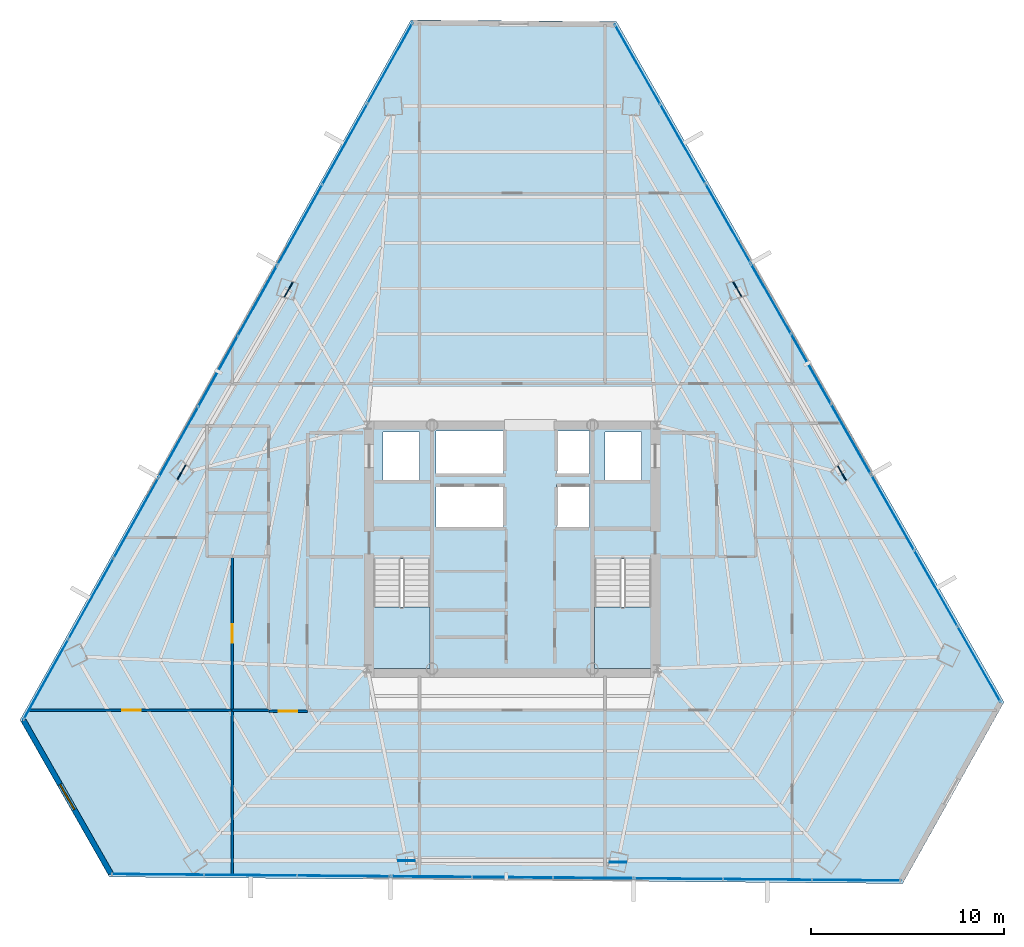
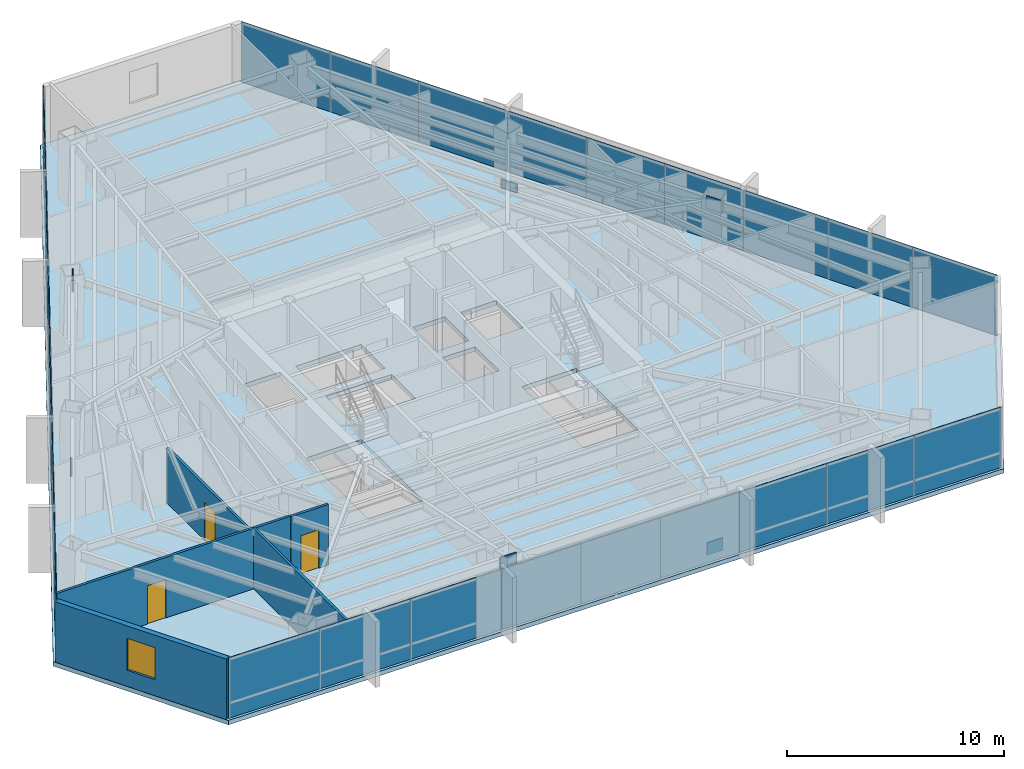
# One storey, part 32 of 38: 33 plates, 6 walls, 3 doors, 3 slabs, 1 window, 4 openings, 11 elements without a shape of their own.
"""IFC4 building model written with IfcOpenShell, lengths in metres."""

from ifc_helpers import new_model, si_unit, direction, frame, frame_2d, origin, origin_2d, place, context, subcontext, project, spatial, polyline, rectangle, outline, extrude, source, transform, mapped, material, layer, layer_set, type_object, type_shapes, element, fill, aggregate, save


model = new_model("IFC4")

# Units and contexts
model_context = context("Model", 3, precision=1e-05, world=origin(), true_north=direction((0.0, 1.0)))
body_context = subcontext(model_context, "Body", "Model", "MODEL_VIEW")
ifc_project = project(units=[si_unit("LENGTHUNIT", "METRE"), si_unit("AREAUNIT", "SQUARE_METRE"), si_unit("VOLUMEUNIT", "CUBIC_METRE"), si_unit("PLANEANGLEUNIT", "RADIAN"), si_unit("MASSUNIT", "GRAM", prefix="KILO")], contexts=[model_context])

# Site, building, storey
site_placement = place(None, origin())
site = spatial("IfcSite", under=ifc_project, at=site_placement, CompositionType="ELEMENT")
building_placement = place(site_placement, origin())
building = spatial("IfcBuilding", under=site, at=building_placement, Name="Caelisora Broadcast Tower", CompositionType="ELEMENT")
storey_placement = place(building_placement, frame((0.0, 0.0, 158.5)))
storey = spatial("IfcBuildingStorey", under=building, at=storey_placement, Name="L41", CompositionType="ELEMENT", Elevation=158.5)

# Slab
ifc_material_1 = material(Name="Concrete 40 MPa (AS 3600 N40)", Category="concrete")
ifc_layer_1 = layer(ifc_material_1, 0.25, Name="Concrete 40 MPa (AS 3600 N40)")
ifc_layer_set_1 = layer_set([ifc_layer_1], Name="Concrete 40 MPa (AS 3600 N40)")
slab_type_1 = type_object("IfcSlabType", Name="SL04", PredefinedType="FLOOR", material=ifc_layer_set_1)
slab_1_placement = place(storey_placement, frame((0.0, 0.0, -0.25)))
element("IfcSlab", 1, at=slab_1_placement, inside=storey, type_object=slab_type_1, Name="L41 suspended floor SL04", PredefinedType="FLOOR", context=body_context, shape_type="SweptSolid", body=[
    extrude(outline(polyline([(43.39794921875, 50.882080078125), (32.7548828125, 50.969970703125), (12.52490234375, 14.74609375), (17.152099609375, 6.62109375), (58.2041015625, 6.279052734375), (63.448974609375, 15.669921875), (43.39794921875, 50.882080078125)]), holes=[polyline([(30.820068359375, 17.39990234375), (33.739990234375, 17.39990234375), (33.739990234375, 23.080078125), (30.820068359375, 23.080078125), (30.820068359375, 17.39990234375)]), polyline([(42.260009765625, 17.39990234375), (45.179931640625, 17.39990234375), (45.179931640625, 23.080078125), (42.260009765625, 23.080078125), (42.260009765625, 17.39990234375)]), polyline([(42.800048828125, 27.14990234375), (44.699951171875, 27.14990234375), (44.699951171875, 29.64990234375), (42.800048828125, 29.64990234375), (42.800048828125, 27.14990234375)]), polyline([(40.300048828125, 24.719970703125), (42.0, 24.719970703125), (42.0, 26.919921875), (40.300048828125, 26.919921875), (40.300048828125, 24.719970703125)]), polyline([(40.300048828125, 27.5), (42.0, 27.5), (42.0, 29.699951171875), (40.300048828125, 29.699951171875), (40.300048828125, 27.5)]), polyline([(34.050048828125, 24.719970703125), (37.550048828125, 24.719970703125), (37.550048828125, 26.919921875), (34.050048828125, 26.919921875), (34.050048828125, 24.719970703125)]), polyline([(34.050048828125, 27.5), (37.550048828125, 27.5), (37.550048828125, 29.699951171875), (34.050048828125, 29.699951171875), (34.050048828125, 27.5)]), polyline([(31.300048828125, 27.14990234375), (33.199951171875, 27.14990234375), (33.199951171875, 29.64990234375), (31.300048828125, 29.64990234375), (31.300048828125, 27.14990234375)])]), origin(), (0.0, 0.0, 1.0), 0.25),
])

# Stair, slab
stair_type_1 = type_object("IfcStairType", Name="ST-1", PredefinedType="HALF_TURN_STAIR", material=ifc_material_1)
stair_1_placement = place(storey_placement, origin())
stair_1 = element("IfcStair", 2, at=stair_1_placement, inside=storey, type_object=stair_type_1, Name="L41 West Fire-Isolated Tower Stair", PredefinedType="HALF_TURN_STAIR")
ifc_layer_2 = layer(ifc_material_1, 0.199951171875, Name="Concrete 40 MPa (AS 3600 N40)")
ifc_layer_set_2 = layer_set([ifc_layer_2], Name="Concrete 40 MPa (AS 3600 N40)")
slab_type_2 = type_object("IfcSlabType", Name="STL-1", PredefinedType="LANDING", material=ifc_layer_set_2)
slab_2_placement = place(storey_placement, frame((0.0, 0.0, 1.625)))
slab_2 = element("IfcSlab", 3, at=slab_2_placement, type_object=slab_type_2, Name="ST-1 landing 1", PredefinedType="LANDING", context=body_context, shape_type="SweptSolid", body=[
    extrude(outline(polyline([(30.820068359375, 20.580078125), (30.820068359375, 17.39990234375), (33.739990234375, 17.39990234375), (33.739990234375, 20.580078125), (30.820068359375, 20.580078125)])), origin(), (0.0, 0.0, 1.0), 0.199951171875),
])
aggregate(stair_1, [slab_2])

stair_type_2 = type_object("IfcStairType", Name="ST-2", PredefinedType="HALF_TURN_STAIR", material=ifc_material_1)
stair_2_placement = place(storey_placement, origin())
stair_2 = element("IfcStair", 4, at=stair_2_placement, inside=storey, type_object=stair_type_2, Name="L41 East Fire-Isolated Tower Stair", PredefinedType="HALF_TURN_STAIR")
slab_3_placement = place(storey_placement, frame((0.0, 0.0, 1.625)))
slab_3 = element("IfcSlab", 5, at=slab_3_placement, type_object=slab_type_2, Name="ST-2 landing 1", PredefinedType="LANDING", context=body_context, shape_type="SweptSolid", body=[
    extrude(outline(polyline([(42.260009765625, 20.580078125), (42.260009765625, 17.39990234375), (45.179931640625, 17.39990234375), (45.179931640625, 20.580078125), (42.260009765625, 20.580078125)])), origin(), (0.0, 0.0, 1.0), 0.199951171875),
])
aggregate(stair_2, [slab_3])

# Plates
ifc_material_2 = material(Name="Steel Grade 350 L15 (AS/NZS 3678)", Category="steel")
ifc_layer_3 = layer(ifc_material_2, 0.050048828125, Name="Steel Grade 350 L15 (AS/NZS 3678)")
ifc_layer_set_3 = layer_set([ifc_layer_3], Name="Steel Grade 350 L15 (AS/NZS 3678)")
plate_type_1 = type_object("IfcPlateType", Name="GP03", PredefinedType="USERDEFINED", material=ifc_layer_set_3)
shared_shape_1 = source(origin(), body_context, "Body", "SweptSolid", [
    extrude(rectangle(XDim=0.85009765625, YDim=0.050048828125, at=origin_2d()), origin(), (0.0, 0.0, 1.0), 0.699951171875),
])
type_shapes(plate_type_1, [shared_shape_1])
for number, where, z_axis, x_axis, name in (
    (6, (26.421142578125, 37.0146484375, 2.72998046875), (0.0, 0.0, 1.0), (-0.5, -0.866025403784, 0.0), "L41 gusset plate GP03 (ND-L41-C02T)"),
    (7, (20.88525390625, 27.57080078125, -0.22998046875), (0.0, 0.0, 1.0), (-0.5, -0.866025403784, 0.0), "L41 gusset plate GP03 (ND-L41-C03B)"),
    (8, (32.5185546875, 7.465087890625, 2.72998046875), (0.0, 0.0, 1.0), (1.0, 0.0, 0.0), "L41 gusset plate GP03 (ND-L41-C06T)"),
    (9, (43.465087890625, 7.392822265625, -0.22998046875), (0.0, 0.0, 1.0), (1.0, 0.0, 0.0), "L41 gusset plate GP03 (ND-L41-C07B)"),
    (10, (55.060302734375, 27.520263671875, 2.72998046875), (0.0, 0.0, 1.0), (-0.5, 0.866025403784, 0.0), "L41 gusset plate GP03 (ND-L41-C10T)"),
    (11, (49.649658203125, 37.03662109375, -0.22998046875), (0.0, 0.0, 1.0), (-0.5, 0.866025403784, 0.0), "L41 gusset plate GP03 (ND-L41-C11B)"),
):
    element("IfcPlate", number, at=place(storey_placement, frame(where, z_axis=z_axis, x_axis=x_axis)), inside=storey, type_object=plate_type_1, Name=name, ObjectType="GUSSET PLATE", PredefinedType="USERDEFINED", context=body_context, shape_type="MappedRepresentation", body=[
        mapped(shared_shape_1, transform((0.0, 0.0, 0.0), scale=1.0)),
    ])

# Curtain wall, plates
ifc_material_3 = material(Name="Unitised Aluminium and Low-E Glass Curtain Wall", Category="glass")
curtain_wall_type_1 = type_object("IfcCurtainWallType", Name="CW-Z3", PredefinedType="NOTDEFINED", material=ifc_material_3)
curtain_wall_1_placement = place(storey_placement, origin())
curtain_wall_1 = element("IfcCurtainWall", 12, at=curtain_wall_1_placement, inside=storey, type_object=curtain_wall_type_1, Name="L41 curtain wall CW-Z3", PredefinedType="NOTDEFINED")
ifc_material_4 = material(Name="Double Glazed Low-E Argon IGU", Category="glass")
ifc_layer_4 = layer(ifc_material_4, 0.031982421875, Name="Double Glazed Low-E Argon IGU")
ifc_layer_set_4 = layer_set([ifc_layer_4], Name="Double Glazed Low-E Argon IGU")
plate_type_2 = type_object("IfcPlateType", Name="CWP-04", PredefinedType="CURTAIN_PANEL", material=ifc_layer_set_4)
shared_shape_2 = source(origin(), body_context, "Body", "SweptSolid", [
    extrude(rectangle(XDim=4.736328125, YDim=0.031982421875, at=origin_2d()), origin(), (0.0, 0.0, 1.0), 3.39990234375),
])
plate_1_placement = place(storey_placement, frame((44.48193359375, 48.675048828125, 0.0), z_axis=(0.0, 0.0, 1.0), x_axis=(0.494852128545, -0.868977198133, 0.0)))
plate_1 = element("IfcPlate", 13, at=plate_1_placement, type_object=plate_type_2, Name="L41-CW-B01 glazed panel #1", PredefinedType="CURTAIN_PANEL", context=body_context, shape_type="MappedRepresentation", body=[
    mapped(shared_shape_2, transform((0.0, 0.0, 0.0), scale=1.0)),
])
plate_2_placement = place(storey_placement, frame((46.82568359375, 44.55908203125, 0.0), z_axis=(0.0, 0.0, 1.0), x_axis=(0.494852128545, -0.868977198133, 0.0)))
plate_2 = element("IfcPlate", 14, at=plate_2_placement, type_object=plate_type_2, Name="L41-CW-B01 glazed panel #2", PredefinedType="CURTAIN_PANEL", context=body_context, shape_type="MappedRepresentation", body=[
    mapped(shared_shape_2, transform((0.0, 0.0, 0.0), scale=1.0)),
])
plate_3_placement = place(storey_placement, frame((49.16943359375, 40.443359375, 0.0), z_axis=(0.0, 0.0, 1.0), x_axis=(0.494852128545, -0.868977198133, 0.0)))
plate_3 = element("IfcPlate", 15, at=plate_3_placement, type_object=plate_type_2, Name="L41-CW-B01 glazed panel #3", PredefinedType="CURTAIN_PANEL", context=body_context, shape_type="MappedRepresentation", body=[
    mapped(shared_shape_2, transform((0.0, 0.0, 0.0), scale=1.0)),
])
aggregate(curtain_wall_1, [plate_1, plate_2, plate_3])

ifc_material_5 = material(Name="Unitised Aluminium Insulated Shadow-Box Spandrel Curtain Wall", Category="aluminium")
curtain_wall_type_2 = type_object("IfcCurtainWallType", Name="CW-SP2", PredefinedType="NOTDEFINED", material=ifc_material_5)
curtain_wall_2_placement = place(storey_placement, origin())
curtain_wall_2 = element("IfcCurtainWall", 16, at=curtain_wall_2_placement, inside=storey, type_object=curtain_wall_type_2, Name="L41 curtain wall CW-SP2", PredefinedType="NOTDEFINED")
ifc_material_6 = material(Name="Insulated Terracotta Shadow-Box Spandrel Panel", Category="aluminium")
ifc_layer_5 = layer(ifc_material_6, 0.0439453125, Name="Insulated Terracotta Shadow-Box Spandrel Panel")
ifc_layer_set_5 = layer_set([ifc_layer_5], Name="Insulated Terracotta Shadow-Box Spandrel Panel")
plate_type_3 = type_object("IfcPlateType", Name="CWP-10", PredefinedType="CURTAIN_PANEL", material=ifc_layer_set_5)
shared_shape_3 = source(origin(), body_context, "Body", "SweptSolid", [
    extrude(rectangle(XDim=4.18994140625, YDim=0.0439453125, at=origin_2d()), origin(), (0.0, 0.0, 1.0), 3.39990234375),
])
plate_4_placement = place(storey_placement, frame((51.3828125, 36.55615234375, 0.0), z_axis=(0.0, 0.0, 1.0), x_axis=(0.494852128545, -0.868977198133, 0.0)))
plate_4 = element("IfcPlate", 17, at=plate_4_placement, type_object=plate_type_3, Name="L41-CW-B02 spandrel panel #1", PredefinedType="CURTAIN_PANEL", context=body_context, shape_type="MappedRepresentation", body=[
    mapped(shared_shape_3, transform((0.0, 0.0, 0.0), scale=1.0)),
])
plate_5_placement = place(storey_placement, frame((53.456298828125, 32.915283203125, 0.0), z_axis=(0.0, 0.0, 1.0), x_axis=(0.494852128545, -0.868977198133, 0.0)))
plate_5 = element("IfcPlate", 18, at=plate_5_placement, type_object=plate_type_3, Name="L41-CW-B02 spandrel panel #2", PredefinedType="CURTAIN_PANEL", context=body_context, shape_type="MappedRepresentation", body=[
    mapped(shared_shape_3, transform((0.0, 0.0, 0.0), scale=1.0)),
])
plate_6_placement = place(storey_placement, frame((55.529541015625, 29.274169921875, 0.0), z_axis=(0.0, 0.0, 1.0), x_axis=(0.494852128545, -0.868977198133, 0.0)))
plate_6 = element("IfcPlate", 19, at=plate_6_placement, type_object=plate_type_3, Name="L41-CW-B02 spandrel panel #3", PredefinedType="CURTAIN_PANEL", context=body_context, shape_type="MappedRepresentation", body=[
    mapped(shared_shape_3, transform((0.0, 0.0, 0.0), scale=1.0)),
])
aggregate(curtain_wall_2, [plate_4, plate_5, plate_6])

curtain_wall_3_placement = place(storey_placement, origin())
curtain_wall_3 = element("IfcCurtainWall", 20, at=curtain_wall_3_placement, inside=storey, type_object=curtain_wall_type_2, Name="L41 curtain wall CW-SP2", PredefinedType="NOTDEFINED")
plate_7_placement = place(storey_placement, frame((42.18310546875, 6.5625, 0.0), z_axis=(0.0, 0.0, 1.0), x_axis=(-0.999964908278, 0.008377482415, 0.0)))
plate_7 = element("IfcPlate", 21, at=plate_7_placement, type_object=plate_type_3, Name="L41-CW-B06 spandrel panel #1", PredefinedType="CURTAIN_PANEL", context=body_context, shape_type="MappedRepresentation", body=[
    mapped(shared_shape_3, transform((0.0, 0.0, 0.0), scale=1.0)),
])
plate_8_placement = place(storey_placement, frame((37.993408203125, 6.597412109375, 0.0), z_axis=(0.0, 0.0, 1.0), x_axis=(-0.999964908278, 0.008377482415, 0.0)))
plate_8 = element("IfcPlate", 22, at=plate_8_placement, type_object=plate_type_3, Name="L41-CW-B06 spandrel panel #2", PredefinedType="CURTAIN_PANEL", context=body_context, shape_type="MappedRepresentation", body=[
    mapped(shared_shape_3, transform((0.0, 0.0, 0.0), scale=1.0)),
])
plate_9_placement = place(storey_placement, frame((33.8037109375, 6.632080078125, 0.0), z_axis=(0.0, 0.0, 1.0), x_axis=(-0.999964908278, 0.008377482415, 0.0)))
plate_9 = element("IfcPlate", 23, at=plate_9_placement, type_object=plate_type_3, Name="L41-CW-B06 spandrel panel #3", PredefinedType="CURTAIN_PANEL", context=body_context, shape_type="MappedRepresentation", body=[
    mapped(shared_shape_3, transform((0.0, 0.0, 0.0), scale=1.0)),
])
aggregate(curtain_wall_3, [plate_7, plate_8, plate_9])

curtain_wall_4_placement = place(storey_placement, origin())
curtain_wall_4 = element("IfcCurtainWall", 24, at=curtain_wall_4_placement, inside=storey, type_object=curtain_wall_type_1, Name="L41 curtain wall CW-Z3", PredefinedType="NOTDEFINED")
shared_shape_4 = source(origin(), body_context, "Body", "SweptSolid", [
    extrude(rectangle(XDim=4.51708984375, YDim=0.031982421875, at=origin_2d()), origin(), (0.0, 0.0, 1.0), 3.39990234375),
])
plate_10_placement = place(storey_placement, frame((57.68896484375, 25.482421875, 0.0), z_axis=(0.0, 0.0, 1.0), x_axis=(0.494852128545, -0.868977198133, 0.0)))
plate_10 = element("IfcPlate", 25, at=plate_10_placement, type_object=plate_type_2, Name="L41-CW-B03 glazed panel #1", PredefinedType="CURTAIN_PANEL", context=body_context, shape_type="MappedRepresentation", body=[
    mapped(shared_shape_4, transform((0.0, 0.0, 0.0), scale=1.0)),
])
plate_11_placement = place(storey_placement, frame((59.924072265625, 21.556884765625, 0.0), z_axis=(0.0, 0.0, 1.0), x_axis=(0.494852128545, -0.868977198133, 0.0)))
plate_11 = element("IfcPlate", 26, at=plate_11_placement, type_object=plate_type_2, Name="L41-CW-B03 glazed panel #2", PredefinedType="CURTAIN_PANEL", context=body_context, shape_type="MappedRepresentation", body=[
    mapped(shared_shape_4, transform((0.0, 0.0, 0.0), scale=1.0)),
])
plate_12_placement = place(storey_placement, frame((62.159423828125, 17.631591796875, 0.0), z_axis=(0.0, 0.0, 1.0), x_axis=(0.494852128545, -0.868977198133, 0.0)))
plate_12 = element("IfcPlate", 27, at=plate_12_placement, type_object=plate_type_2, Name="L41-CW-B03 glazed panel #3", PredefinedType="CURTAIN_PANEL", context=body_context, shape_type="MappedRepresentation", body=[
    mapped(shared_shape_4, transform((0.0, 0.0, 0.0), scale=1.0)),
])
aggregate(curtain_wall_4, [plate_10, plate_11, plate_12])

curtain_wall_5_placement = place(storey_placement, origin())
curtain_wall_5 = element("IfcCurtainWall", 28, at=curtain_wall_5_placement, inside=storey, type_object=curtain_wall_type_1, Name="L41 curtain wall CW-Z3", PredefinedType="NOTDEFINED")
shared_shape_5 = source(origin(), body_context, "Body", "SweptSolid", [
    extrude(rectangle(XDim=4.609619140625, YDim=0.031982421875, at=origin_2d()), origin(), (0.0, 0.0, 1.0), 3.39990234375),
])
plate_13_placement = place(storey_placement, frame((55.811279296875, 6.44921875, 0.0), z_axis=(0.0, 0.0, 1.0), x_axis=(-0.999964908278, 0.008377482415, 0.0)))
plate_13 = element("IfcPlate", 29, at=plate_13_placement, type_object=plate_type_2, Name="L41-CW-B05 glazed panel #1", PredefinedType="CURTAIN_PANEL", context=body_context, shape_type="MappedRepresentation", body=[
    mapped(shared_shape_5, transform((0.0, 0.0, 0.0), scale=1.0)),
])
plate_14_placement = place(storey_placement, frame((51.201904296875, 6.487548828125, 0.0), z_axis=(0.0, 0.0, 1.0), x_axis=(-0.999964908278, 0.008377482415, 0.0)))
plate_14 = element("IfcPlate", 30, at=plate_14_placement, type_object=plate_type_2, Name="L41-CW-B05 glazed panel #2", PredefinedType="CURTAIN_PANEL", context=body_context, shape_type="MappedRepresentation", body=[
    mapped(shared_shape_5, transform((0.0, 0.0, 0.0), scale=1.0)),
])
plate_15_placement = place(storey_placement, frame((46.5927734375, 6.52587890625, 0.0), z_axis=(0.0, 0.0, 1.0), x_axis=(-0.999964908278, 0.008377482415, 0.0)))
plate_15 = element("IfcPlate", 31, at=plate_15_placement, type_object=plate_type_2, Name="L41-CW-B05 glazed panel #3", PredefinedType="CURTAIN_PANEL", context=body_context, shape_type="MappedRepresentation", body=[
    mapped(shared_shape_5, transform((0.0, 0.0, 0.0), scale=1.0)),
])
aggregate(curtain_wall_5, [plate_13, plate_14, plate_15])

curtain_wall_6_placement = place(storey_placement, origin())
curtain_wall_6 = element("IfcCurtainWall", 32, at=curtain_wall_6_placement, inside=storey, type_object=curtain_wall_type_1, Name="L41 curtain wall CW-Z3", PredefinedType="NOTDEFINED")
shared_shape_6 = source(origin(), body_context, "Body", "SweptSolid", [
    extrude(rectangle(XDim=4.819580078125, YDim=0.031982421875, at=origin_2d()), origin(), (0.0, 0.0, 1.0), 3.39990234375),
])
plate_16_placement = place(storey_placement, frame((29.288818359375, 6.669921875, 0.0), z_axis=(0.0, 0.0, 1.0), x_axis=(-0.999964908278, 0.008377482415, 0.0)))
plate_16 = element("IfcPlate", 33, at=plate_16_placement, type_object=plate_type_2, Name="L41-CW-B07 glazed panel #1", PredefinedType="CURTAIN_PANEL", context=body_context, shape_type="MappedRepresentation", body=[
    mapped(shared_shape_6, transform((0.0, 0.0, 0.0), scale=1.0)),
])
plate_17_placement = place(storey_placement, frame((24.46923828125, 6.7099609375, 0.0), z_axis=(0.0, 0.0, 1.0), x_axis=(-0.999964908278, 0.008377482415, 0.0)))
plate_17 = element("IfcPlate", 34, at=plate_17_placement, type_object=plate_type_2, Name="L41-CW-B07 glazed panel #2", PredefinedType="CURTAIN_PANEL", context=body_context, shape_type="MappedRepresentation", body=[
    mapped(shared_shape_6, transform((0.0, 0.0, 0.0), scale=1.0)),
])
plate_18_placement = place(storey_placement, frame((19.64990234375, 6.75, 0.0), z_axis=(0.0, 0.0, 1.0), x_axis=(-0.999964908278, 0.008377482415, 0.0)))
plate_18 = element("IfcPlate", 35, at=plate_18_placement, type_object=plate_type_2, Name="L41-CW-B07 glazed panel #3", PredefinedType="CURTAIN_PANEL", context=body_context, shape_type="MappedRepresentation", body=[
    mapped(shared_shape_6, transform((0.0, 0.0, 0.0), scale=1.0)),
])
aggregate(curtain_wall_6, [plate_16, plate_17, plate_18])

curtain_wall_7_placement = place(storey_placement, origin())
curtain_wall_7 = element("IfcCurtainWall", 36, at=curtain_wall_7_placement, inside=storey, type_object=curtain_wall_type_1, Name="L41 curtain wall CW-Z3", PredefinedType="NOTDEFINED")
shared_shape_7 = source(origin(), body_context, "Body", "SweptSolid", [
    extrude(rectangle(XDim=4.7861328125, YDim=0.031982421875, at=origin_2d()), origin(), (0.0, 0.0, 1.0), 3.39990234375),
])
plate_19_placement = place(storey_placement, frame((13.864013671875, 16.836181640625, 0.0), z_axis=(0.0, 0.0, 1.0), x_axis=(0.487554922136, 0.873092319232, 0.0)))
plate_19 = element("IfcPlate", 37, at=plate_19_placement, type_object=plate_type_2, Name="L41-CW-B09 glazed panel #1", PredefinedType="CURTAIN_PANEL", context=body_context, shape_type="MappedRepresentation", body=[
    mapped(shared_shape_7, transform((0.0, 0.0, 0.0), scale=1.0)),
])
plate_20_placement = place(storey_placement, frame((16.197509765625, 21.014892578125, 0.0), z_axis=(0.0, 0.0, 1.0), x_axis=(0.487554922136, 0.873092319232, 0.0)))
plate_20 = element("IfcPlate", 38, at=plate_20_placement, type_object=plate_type_2, Name="L41-CW-B09 glazed panel #2", PredefinedType="CURTAIN_PANEL", context=body_context, shape_type="MappedRepresentation", body=[
    mapped(shared_shape_7, transform((0.0, 0.0, 0.0), scale=1.0)),
])
plate_21_placement = place(storey_placement, frame((18.531494140625, 25.193603515625, 0.0), z_axis=(0.0, 0.0, 1.0), x_axis=(0.487554922136, 0.873092319232, 0.0)))
plate_21 = element("IfcPlate", 39, at=plate_21_placement, type_object=plate_type_2, Name="L41-CW-B09 glazed panel #3", PredefinedType="CURTAIN_PANEL", context=body_context, shape_type="MappedRepresentation", body=[
    mapped(shared_shape_7, transform((0.0, 0.0, 0.0), scale=1.0)),
])
aggregate(curtain_wall_7, [plate_19, plate_20, plate_21])

curtain_wall_8_placement = place(storey_placement, origin())
curtain_wall_8 = element("IfcCurtainWall", 40, at=curtain_wall_8_placement, inside=storey, type_object=curtain_wall_type_2, Name="L41 curtain wall CW-SP2", PredefinedType="NOTDEFINED")
shared_shape_8 = source(origin(), body_context, "Body", "SweptSolid", [
    extrude(rectangle(XDim=4.189697265625, YDim=0.0439453125, at=origin_2d()), origin(), (0.0, 0.0, 1.0), 3.39990234375),
])
type_shapes(plate_type_3, [shared_shape_3, shared_shape_8])
plate_22_placement = place(storey_placement, frame((20.724609375, 29.12060546875, 0.0), z_axis=(0.0, 0.0, 1.0), x_axis=(0.487554922136, 0.873092319232, 0.0)))
plate_22 = element("IfcPlate", 41, at=plate_22_placement, type_object=plate_type_3, Name="L41-CW-B10 spandrel panel #1", PredefinedType="CURTAIN_PANEL", context=body_context, shape_type="MappedRepresentation", body=[
    mapped(shared_shape_8, transform((0.0, 0.0, 0.0), scale=1.0)),
])
plate_23_placement = place(storey_placement, frame((22.767578125, 32.778564453125, 0.0), z_axis=(0.0, 0.0, 1.0), x_axis=(0.487554922136, 0.873092319232, 0.0)))
plate_23 = element("IfcPlate", 42, at=plate_23_placement, type_object=plate_type_3, Name="L41-CW-B10 spandrel panel #2", PredefinedType="CURTAIN_PANEL", context=body_context, shape_type="MappedRepresentation", body=[
    mapped(shared_shape_8, transform((0.0, 0.0, 0.0), scale=1.0)),
])
plate_24_placement = place(storey_placement, frame((24.810302734375, 36.436279296875, 0.0), z_axis=(0.0, 0.0, 1.0), x_axis=(0.487554922136, 0.873092319232, 0.0)))
plate_24 = element("IfcPlate", 43, at=plate_24_placement, type_object=plate_type_3, Name="L41-CW-B10 spandrel panel #3", PredefinedType="CURTAIN_PANEL", context=body_context, shape_type="MappedRepresentation", body=[
    mapped(shared_shape_8, transform((0.0, 0.0, 0.0), scale=1.0)),
])
aggregate(curtain_wall_8, [plate_22, plate_23, plate_24])

curtain_wall_9_placement = place(storey_placement, origin())
curtain_wall_9 = element("IfcCurtainWall", 44, at=curtain_wall_9_placement, inside=storey, type_object=curtain_wall_type_1, Name="L41 curtain wall CW-Z3", PredefinedType="NOTDEFINED")
shared_shape_9 = source(origin(), body_context, "Body", "SweptSolid", [
    extrude(rectangle(XDim=4.78955078125, YDim=0.031982421875, at=origin_2d()), origin(), (0.0, 0.0, 1.0), 3.39990234375),
])
type_shapes(plate_type_2, [shared_shape_2, shared_shape_4, shared_shape_5, shared_shape_6, shared_shape_7, shared_shape_9])
plate_25_placement = place(storey_placement, frame((27.00439453125, 40.36474609375, 0.0), z_axis=(0.0, 0.0, 1.0), x_axis=(0.487554922136, 0.873092319232, 0.0)))
plate_25 = element("IfcPlate", 45, at=plate_25_placement, type_object=plate_type_2, Name="L41-CW-B11 glazed panel #1", PredefinedType="CURTAIN_PANEL", context=body_context, shape_type="MappedRepresentation", body=[
    mapped(shared_shape_9, transform((0.0, 0.0, 0.0), scale=1.0)),
])
plate_26_placement = place(storey_placement, frame((29.33984375, 44.54638671875, 0.0), z_axis=(0.0, 0.0, 1.0), x_axis=(0.487554922136, 0.873092319232, 0.0)))
plate_26 = element("IfcPlate", 46, at=plate_26_placement, type_object=plate_type_2, Name="L41-CW-B11 glazed panel #2", PredefinedType="CURTAIN_PANEL", context=body_context, shape_type="MappedRepresentation", body=[
    mapped(shared_shape_9, transform((0.0, 0.0, 0.0), scale=1.0)),
])
plate_27_placement = place(storey_placement, frame((31.67529296875, 48.728271484375, 0.0), z_axis=(0.0, 0.0, 1.0), x_axis=(0.487554922136, 0.873092319232, 0.0)))
plate_27 = element("IfcPlate", 47, at=plate_27_placement, type_object=plate_type_2, Name="L41-CW-B11 glazed panel #3", PredefinedType="CURTAIN_PANEL", context=body_context, shape_type="MappedRepresentation", body=[
    mapped(shared_shape_9, transform((0.0, 0.0, 0.0), scale=1.0)),
])
aggregate(curtain_wall_9, [plate_25, plate_26, plate_27])

# Wall, opening, window
ifc_material_7 = material(Name="Insulated Terracotta Spandrel Wall System", Category="masonry")
ifc_layer_6 = layer(ifc_material_7, 0.280029296875, Name="Insulated Terracotta Spandrel Wall System")
ifc_layer_set_6 = layer_set([ifc_layer_6], Name="Insulated Terracotta Spandrel Wall System")
wall_type_1 = type_object("IfcWallType", Name="EW1", PredefinedType="STANDARD", material=ifc_layer_set_6)
wall_1_placement = place(storey_placement, frame((17.22509765625, 6.796142578125, 0.0), z_axis=(0.0, 0.0, 1.0), x_axis=(-0.494875679414, 0.868963786313, 0.0)))
wall_1 = element("IfcWall", 48, at=wall_1_placement, inside=storey, type_object=wall_type_1, Name="L41 exterior envelope wall EW1", PredefinedType="STANDARD", context=body_context, shape_type="SweptSolid", body=[
    extrude(rectangle(XDim=9.119873046875, YDim=0.280029296875, at=frame_2d((4.56005859375, 0.0))), origin(), (0.0, 0.0, 1.0), 3.39990234375),
])
opening_1_placement = place(wall_1_placement, frame((3.81005859375, 0.0, 0.89990234375)))
opening_1 = element("IfcOpeningElement", 49, at=opening_1_placement, cuts=wall_1, Name="Opening W02", PredefinedType="OPENING", context=body_context, shape_type="SweptSolid", body=[
    extrude(rectangle(XDim=1.5, YDim=1.800048828125, at=frame_2d((0.75, 0.89990234375))), frame((0.0, 0.152099609375, 0.0), z_axis=(0.0, -1.0, 0.0), x_axis=(1.0, 0.0, 0.0)), (0.0, 0.0, 1.0), 0.303955078125),
])
ifc_material_8 = material(Name="Double Glazed Terracotta-Framed Vision Window", Category="glass")
window_type = type_object("IfcWindowType", Name="W02", PartitioningType="SINGLE_PANEL", PredefinedType="WINDOW", material=ifc_material_8)
window_placement = place(opening_1_placement, origin())
window = element("IfcWindow", 50, at=window_placement, inside=storey, type_object=window_type, Name="L41 window W02 (L41-WN-CH4)", OverallHeight=1.800048828125, OverallWidth=1.5, PartitioningType="SINGLE_PANEL", PredefinedType="WINDOW", context=body_context, shape_type="SweptSolid", body=[
    extrude(rectangle(XDim=1.5, YDim=1.800048828125, at=frame_2d((0.75, 0.89990234375))), frame((0.0, 0.030029296875, 0.0), z_axis=(0.0, -1.0, 0.0), x_axis=(1.0, 0.0, 0.0)), (0.0, 0.0, 1.0), 0.06005859375),
])
fill(opening_1, window)

# Wall, opening, door
ifc_material_9 = material(Name="Acoustic Steel-Stud Plasterboard Partition", Category="gypsum")
ifc_layer_7 = layer(ifc_material_9, 0.1298828125, Name="Acoustic Steel-Stud Plasterboard Partition")
ifc_layer_set_7 = layer_set([ifc_layer_7], Name="Acoustic Steel-Stud Plasterboard Partition")
wall_type_2 = type_object("IfcWallType", Name="PW3", PredefinedType="PARTITIONING", material=ifc_layer_set_7)
wall_2_placement = place(storey_placement, frame((12.972412109375, 15.25, 0.0), z_axis=(0.0, 0.0, 1.0), x_axis=(1.0, 0.0, 0.0)))
wall_2 = element("IfcWall", 51, at=wall_2_placement, inside=storey, type_object=wall_type_2, Name="L41 internal partition PW3", PredefinedType="PARTITIONING", context=body_context, shape_type="SweptSolid", body=[
    extrude(rectangle(XDim=10.522705078125, YDim=0.1298828125, at=frame_2d((5.26123046875, 0.0))), origin(), (0.0, 0.0, 1.0), 3.39990234375),
])
opening_2_placement = place(wall_2_placement, frame((4.837890625, 0.0, 0.0)))
opening_2 = element("IfcOpeningElement", 52, at=opening_2_placement, cuts=wall_2, Name="Opening D01", PredefinedType="OPENING", context=body_context, shape_type="SweptSolid", body=[
    extrude(rectangle(XDim=0.9599609375, YDim=2.14990234375, at=frame_2d((0.47998046875, 1.074951171875))), frame((0.0, 0.076904296875, 0.0), z_axis=(0.0, -1.0, 0.0), x_axis=(1.0, 0.0, 0.0)), (0.0, 0.0, 1.0), 0.15380859375),
])
ifc_material_10 = material(Name="Solid-Core Timber Acoustic Office Door", Category="wood")
door_type = type_object("IfcDoorType", Name="D01", OperationType="NOTDEFINED", PredefinedType="DOOR", material=ifc_material_10)
door_1_placement = place(opening_2_placement, origin())
door_1 = element("IfcDoor", 53, at=door_1_placement, inside=storey, type_object=door_type, Name="L41 door D01 (L41-DR-P31D1)", OperationType="SINGLE_SWING_RIGHT", OverallHeight=2.14990234375, OverallWidth=0.9599609375, PredefinedType="DOOR", context=body_context, shape_type="SweptSolid", body=[
    extrude(rectangle(XDim=0.9599609375, YDim=2.14990234375, at=frame_2d((0.47998046875, 1.074951171875))), frame((0.0, 0.02490234375, 0.0), z_axis=(0.0, -1.0, 0.0), x_axis=(1.0, 0.0, 0.0)), (0.0, 0.0, 1.0), 0.050048828125),
])
fill(opening_2, door_1)

# Wall
wall_3_placement = place(storey_placement, frame((23.5, 6.713134765625, 0.0), z_axis=(0.0, 0.0, 1.0), x_axis=(0.0, 1.0, 0.0)))
element("IfcWall", 54, at=wall_3_placement, inside=storey, type_object=wall_type_2, Name="L41 internal partition PW3", PredefinedType="PARTITIONING", context=body_context, shape_type="SweptSolid", body=[
    extrude(rectangle(XDim=8.531982421875, YDim=0.1298828125, at=frame_2d((4.26611328125, 0.0))), origin(), (0.0, 0.0, 1.0), 3.39990234375),
])

# Wall, opening, door
wall_4_placement = place(storey_placement, frame((23.5, 15.2548828125, 0.0), z_axis=(0.0, 0.0, 1.0), x_axis=(0.0, 1.0, 0.0)))
wall_4 = element("IfcWall", 55, at=wall_4_placement, inside=storey, type_object=wall_type_2, Name="L41 internal partition PW3", PredefinedType="PARTITIONING", context=body_context, shape_type="SweptSolid", body=[
    extrude(rectangle(XDim=7.940185546875, YDim=0.1298828125, at=frame_2d((3.97021484375, 0.0))), origin(), (0.0, 0.0, 1.0), 3.077880859375),
])
opening_3_placement = place(wall_4_placement, frame((3.489990234375, 0.0, 0.0)))
opening_3 = element("IfcOpeningElement", 56, at=opening_3_placement, cuts=wall_4, Name="Opening D01", PredefinedType="OPENING", context=body_context, shape_type="SweptSolid", body=[
    extrude(rectangle(XDim=0.9599609375, YDim=2.14990234375, at=frame_2d((0.47998046875, 1.074951171875))), frame((0.0, 0.076904296875, 0.0), z_axis=(0.0, -1.0, 0.0), x_axis=(1.0, 0.0, 0.0)), (0.0, 0.0, 1.0), 0.15380859375),
])
door_2_placement = place(opening_3_placement, origin())
door_2 = element("IfcDoor", 57, at=door_2_placement, inside=storey, type_object=door_type, Name="L41 door D01 (L41-DR-P50D1)", OperationType="SINGLE_SWING_RIGHT", OverallHeight=2.14990234375, OverallWidth=0.9599609375, PredefinedType="DOOR", context=body_context, shape_type="SweptSolid", body=[
    extrude(rectangle(XDim=0.9599609375, YDim=2.14990234375, at=frame_2d((0.47998046875, 1.074951171875))), frame((0.0, 0.02490234375, 0.0), z_axis=(0.0, -1.0, 0.0), x_axis=(1.0, 0.0, 0.0)), (0.0, 0.0, 1.0), 0.050048828125),
])
fill(opening_3, door_2)

wall_5_placement = place(storey_placement, frame((25.405029296875, 15.199951171875, 0.0), z_axis=(0.0, 0.0, 1.0), x_axis=(1.0, 0.0, 0.0)))
wall_5 = element("IfcWall", 58, at=wall_5_placement, inside=storey, type_object=wall_type_2, Name="L41 internal partition PW3", PredefinedType="PARTITIONING", context=body_context, shape_type="SweptSolid", body=[
    extrude(rectangle(XDim=1.989990234375, YDim=0.1298828125, at=frame_2d((0.9951171875, 0.0))), origin(), (0.0, 0.0, 1.0), 3.39990234375),
])
opening_4_placement = place(wall_5_placement, frame((0.514892578125, 0.0, 0.0)))
opening_4 = element("IfcOpeningElement", 59, at=opening_4_placement, cuts=wall_5, Name="Opening D01", PredefinedType="OPENING", context=body_context, shape_type="SweptSolid", body=[
    extrude(rectangle(XDim=0.9599609375, YDim=2.14990234375, at=frame_2d((0.47998046875, 1.074951171875))), frame((0.0, 0.076904296875, 0.0), z_axis=(0.0, -1.0, 0.0), x_axis=(1.0, 0.0, 0.0)), (0.0, 0.0, 1.0), 0.15380859375),
])
door_3_placement = place(opening_4_placement, origin())
door_3 = element("IfcDoor", 60, at=door_3_placement, inside=storey, type_object=door_type, Name="L41 door D01 (L41-DR-P63D1)", OperationType="SINGLE_SWING_LEFT", OverallHeight=2.14990234375, OverallWidth=0.9599609375, PredefinedType="DOOR", context=body_context, shape_type="SweptSolid", body=[
    extrude(rectangle(XDim=0.9599609375, YDim=2.14990234375, at=frame_2d((0.47998046875, 1.074951171875))), frame((0.0, 0.02490234375, 0.0), z_axis=(0.0, -1.0, 0.0), x_axis=(1.0, 0.0, 0.0)), (0.0, 0.0, 1.0), 0.050048828125),
])
fill(opening_4, door_3)

# Wall
wall_6_placement = place(storey_placement, frame((23.5048828125, 15.25, 0.0), z_axis=(0.0, 0.0, 1.0), x_axis=(1.0, 0.0, 0.0)))
element("IfcWall", 61, at=wall_6_placement, inside=storey, type_object=wall_type_2, Name="L41 internal partition PW3", PredefinedType="PARTITIONING", context=body_context, shape_type="SweptSolid", body=[
    extrude(rectangle(XDim=1.89013671875, YDim=0.1298828125, at=frame_2d((0.945068359375, 0.0))), origin(), (0.0, 0.0, 1.0), 3.39990234375),
])

save(model, "model.ifc")
